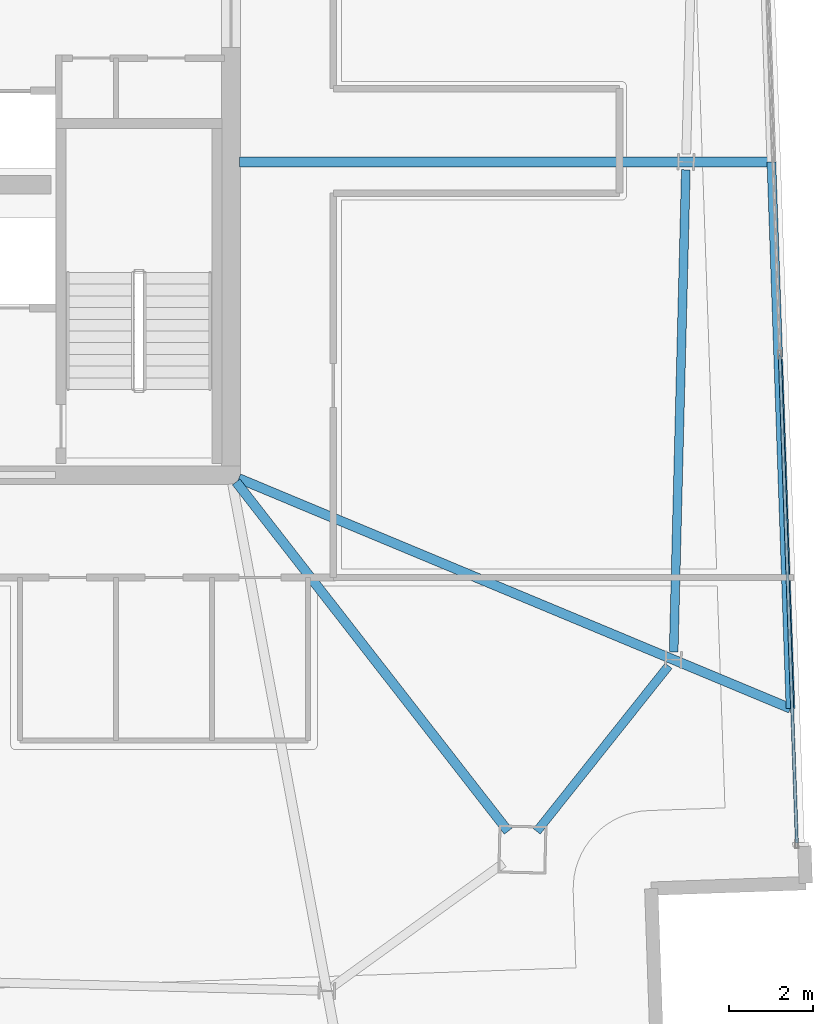
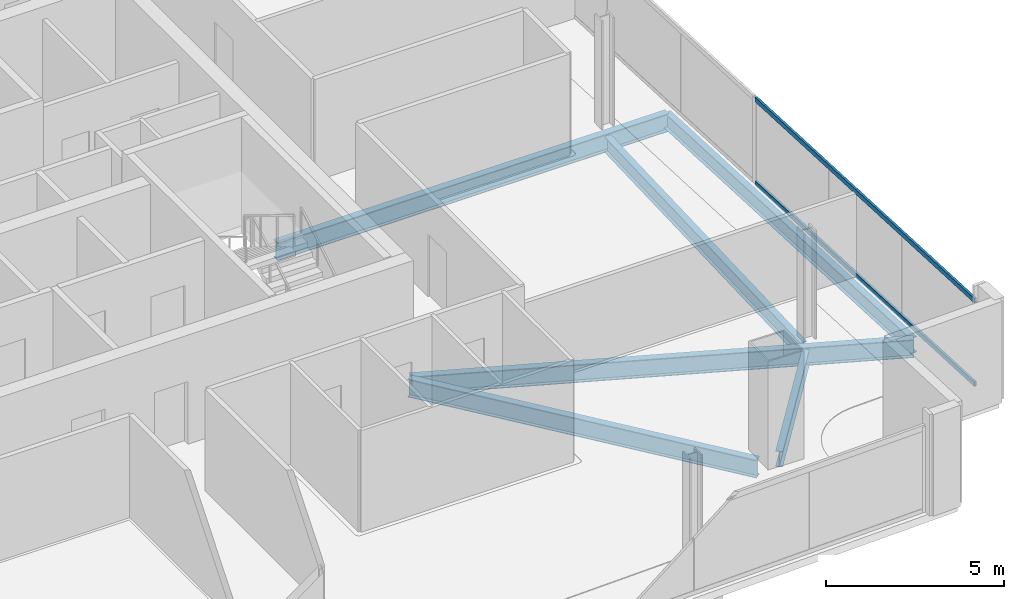
# One storey, part 9 of 23: 6 beams, 2 members, 1 element without a shape of its own.
"""IFC4 building model written with IfcOpenShell, lengths in metres."""

from ifc_helpers import new_model, si_unit, direction, frame, origin, origin_2d, place, context, subcontext, project, spatial, hollow_rectangle, i_section, extrude, material, material_profile, profile_set, type_object, element, aggregate, save


model = new_model("IFC4")

# Units and contexts
model_context = context("Model", 3, precision=1e-05, world=origin(), true_north=direction((0.0, 1.0)))
body_context = subcontext(model_context, "Body", "Model", "MODEL_VIEW")
ifc_project = project(units=[si_unit("LENGTHUNIT", "METRE"), si_unit("AREAUNIT", "SQUARE_METRE"), si_unit("VOLUMEUNIT", "CUBIC_METRE"), si_unit("PLANEANGLEUNIT", "RADIAN"), si_unit("MASSUNIT", "GRAM", prefix="KILO")], contexts=[model_context])

# Site, building, storey
site_placement = place(None, origin())
site = spatial("IfcSite", under=ifc_project, at=site_placement, CompositionType="ELEMENT")
building_placement = place(site_placement, origin())
building = spatial("IfcBuilding", under=site, at=building_placement, Name="Haldenkirk Collegiate Tower", CompositionType="ELEMENT")
storey_placement = place(building_placement, frame((0.0, 0.0, 336.449951171875)))
storey = spatial("IfcBuildingStorey", under=building, at=storey_placement, Name="L85", CompositionType="ELEMENT", Elevation=336.449951171875)

# Beams
ifc_material_1 = material(Name="Steel ASTM A992 Grade 50", Category="steel")
ifc_material_profile_1 = material_profile(ifc_material_1, i_section(OverallWidth=0.22998046875, OverallDepth=0.616943359375, WebThickness=0.01318359375, FlangeThickness=0.022216796875, at=origin_2d()), Name="W24X94")
ifc_profile_set_1 = profile_set([ifc_material_profile_1], Name="Steel ASTM A992 Grade 50")
beam_type_1 = type_object("IfcBeamType", Name="BM-GIRDER-W24X94", PredefinedType="BEAM", material=ifc_profile_set_1)
beam_1_placement = place(storey_placement, frame((51.635009765625, 9.478271484375, -0.568359375), z_axis=(-0.614347328176, 0.789035715518, 0.0), x_axis=(-0.789035715518, -0.614347328176, 0.0)))
element("IfcBeam", 1, at=beam_1_placement, inside=storey, type_object=beam_type_1, Name="L85 primary floor girder 01", PredefinedType="BEAM", context=body_context, shape_type="SweptSolid", body=[
    extrude(i_section(OverallWidth=0.22998046875, OverallDepth=0.616943359375, WebThickness=0.01318359375, FlangeThickness=0.022216796875, at=origin_2d()), origin(), (0.0, 0.0, 1.0), 10.594970703125),
])
beam_2_placement = place(storey_placement, frame((58.392578125, 12.416748046875, -0.568359375), z_axis=(-0.923002679404, 0.384793521012, 0.0), x_axis=(-0.384793521012, -0.923002679404, 0.0)))
element("IfcBeam", 2, at=beam_2_placement, inside=storey, type_object=beam_type_1, Name="L85 primary floor girder 05", PredefinedType="BEAM", context=body_context, shape_type="SweptSolid", body=[
    extrude(i_section(OverallWidth=0.22998046875, OverallDepth=0.616943359375, WebThickness=0.01318359375, FlangeThickness=0.022216796875, at=origin_2d()), origin(), (0.0, 0.0, 1.0), 14.3046875),
])
beam_3_placement = place(storey_placement, frame((57.935791015625, 25.496337890625, -0.568359375), z_axis=(-1.0, 0.0, 0.0), x_axis=(0.0, -1.0, 0.0)))
element("IfcBeam", 3, at=beam_3_placement, inside=storey, type_object=beam_type_1, Name="L85 primary floor girder 06", PredefinedType="BEAM", context=body_context, shape_type="SweptSolid", body=[
    extrude(i_section(OverallWidth=0.22998046875, OverallDepth=0.616943359375, WebThickness=0.01318359375, FlangeThickness=0.022216796875, at=origin_2d()), origin(), (0.0, 0.0, 1.0), 12.730712890625),
])
ifc_material_profile_2 = material_profile(ifc_material_1, i_section(OverallWidth=0.2099609375, OverallDepth=0.537109375, WebThickness=0.010986328125, FlangeThickness=0.017333984375, at=origin_2d()), Name="W21X68")
ifc_profile_set_2 = profile_set([ifc_material_profile_2], Name="Steel ASTM A992 Grade 50")
beam_type_2 = type_object("IfcBeamType", Name="BM-SPANDREL-W21X68", PredefinedType="SPANDREL", material=ifc_profile_set_2)
beam_4_placement = place(storey_placement, frame((52.321533203125, 9.474609375, -0.528564453125), z_axis=(0.622700032294, 0.782460650628, 0.0), x_axis=(-0.782460650628, 0.622700032294, 0.0)))
element("IfcBeam", 4, at=beam_4_placement, inside=storey, type_object=beam_type_2, Name="L85 perimeter spandrel beam 01", PredefinedType="SPANDREL", context=body_context, shape_type="SweptSolid", body=[
    extrude(i_section(OverallWidth=0.2099609375, OverallDepth=0.537109375, WebThickness=0.010986328125, FlangeThickness=0.017333984375, at=origin_2d()), origin(), (0.0, 0.0, 1.0), 5.064453125),
])
beam_5_placement = place(storey_placement, frame((55.596923828125, 13.772216796875, -0.528564453125), z_axis=(0.025302458902, 0.999679841536, 0.0), x_axis=(-0.999679841536, 0.025302458902, 0.0)))
element("IfcBeam", 5, at=beam_5_placement, inside=storey, type_object=beam_type_2, Name="L85 perimeter spandrel beam 02", PredefinedType="SPANDREL", context=body_context, shape_type="SweptSolid", body=[
    extrude(i_section(OverallWidth=0.2099609375, OverallDepth=0.537109375, WebThickness=0.010986328125, FlangeThickness=0.017333984375, at=origin_2d()), origin(), (0.0, 0.0, 1.0), 11.5400390625),
])
beam_6_placement = place(storey_placement, frame((58.392578125, 12.416748046875, -0.528564453125), z_axis=(-0.034902378934, 0.999390726365, 0.0), x_axis=(-0.999390726365, -0.034902378934, 0.0)))
element("IfcBeam", 6, at=beam_6_placement, inside=storey, type_object=beam_type_2, Name="L85 outer facade edge beam 1A", PredefinedType="SPANDREL", context=body_context, shape_type="SweptSolid", body=[
    extrude(i_section(OverallWidth=0.2099609375, OverallDepth=0.537109375, WebThickness=0.010986328125, FlangeThickness=0.017333984375, at=origin_2d()), origin(), (0.0, 0.0, 1.0), 13.087646484375),
])

# Curtain wall, members
ifc_material_2 = material(Name="Anodised architectural bronze aluminium", Category="aluminium")
curtain_wall_type = type_object("IfcCurtainWallType", Name="CW-SYS2-CONCAVE", PredefinedType="USERDEFINED", material=ifc_material_2)
curtain_wall_placement = place(storey_placement, origin())
curtain_wall = element("IfcCurtainWall", 7, at=curtain_wall_placement, inside=storey, type_object=curtain_wall_type, Name="L85 South concave recessed bronze-anodised curtain wall", ObjectType="UNITISED CURTAIN WALL", PredefinedType="USERDEFINED")
ifc_material_profile_3 = material_profile(ifc_material_2, hollow_rectangle(XDim=0.074951171875, YDim=0.159912109375, WallThickness=0.0048828125, at=origin_2d()), Name="CW-TRN-02")
ifc_profile_set_3 = profile_set([ifc_material_profile_3], Name="Anodised architectural bronze aluminium")
member_type = type_object("IfcMemberType", Name="CW-TRN-02", PredefinedType="USERDEFINED", material=ifc_profile_set_3)
member_1_placement = place(storey_placement, frame((58.13818359375, 20.8486328125, 0.03759765625), z_axis=(0.034900956544, -0.999390776039, 0.0), x_axis=(0.999390776039, 0.034900956544, 0.0)))
member_1 = element("IfcMember", 8, at=member_1_placement, type_object=member_type, Name="CW-02 transom 3.1", ObjectType="TRANSOM", PredefinedType="USERDEFINED", context=body_context, shape_type="SweptSolid", body=[
    extrude(hollow_rectangle(XDim=0.074951171875, YDim=0.159912109375, WallThickness=0.0048828125, at=origin_2d()), origin(), (0.0, 0.0, 1.0), 11.654052734375),
])
member_2_placement = place(storey_placement, frame((58.13818359375, 20.8486328125, 2.91064453125), z_axis=(0.034900956544, -0.999390776039, 0.0), x_axis=(0.999390776039, 0.034900956544, 0.0)))
member_2 = element("IfcMember", 9, at=member_2_placement, type_object=member_type, Name="CW-02 transom 3.2", ObjectType="TRANSOM", PredefinedType="USERDEFINED", context=body_context, shape_type="SweptSolid", body=[
    extrude(hollow_rectangle(XDim=0.074951171875, YDim=0.159912109375, WallThickness=0.0048828125, at=origin_2d()), origin(), (0.0, 0.0, 1.0), 11.654052734375),
])
aggregate(curtain_wall, [member_1, member_2])

save(model, "model.ifc")
